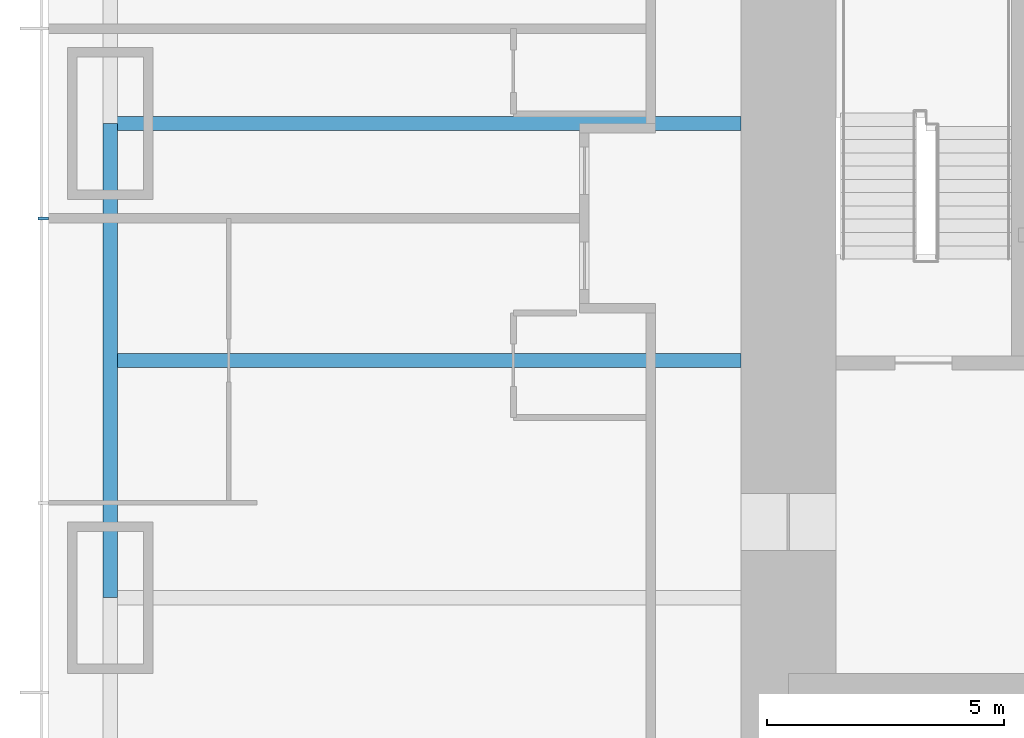
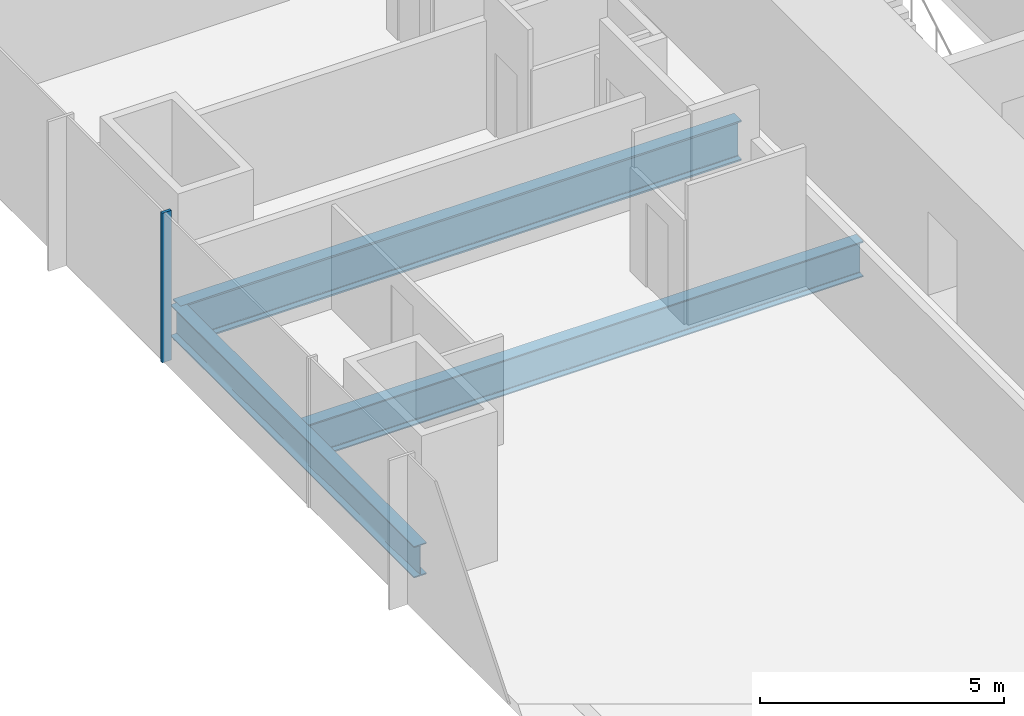
# One storey, part 3 of 17: 3 beams, 1 member, 1 element without a shape of its own.
"""IFC4 building model written with IfcOpenShell, lengths in metres."""

from ifc_helpers import new_model, si_unit, direction, frame, origin, origin_2d, place, context, subcontext, project, spatial, rectangle, i_section, extrude, material, material_profile, profile_set, type_object, element, aggregate, save


model = new_model("IFC4")

# Units and contexts
model_context = context("Model", 3, precision=1e-05, world=origin(), true_north=direction((0.0, 1.0)))
body_context = subcontext(model_context, "Body", "Model", "MODEL_VIEW")
ifc_project = project(units=[si_unit("LENGTHUNIT", "METRE"), si_unit("AREAUNIT", "SQUARE_METRE"), si_unit("VOLUMEUNIT", "CUBIC_METRE"), si_unit("PLANEANGLEUNIT", "RADIAN"), si_unit("MASSUNIT", "GRAM", prefix="KILO")], contexts=[model_context])

# Site, building, storey
site_placement = place(None, origin())
site = spatial("IfcSite", under=ifc_project, at=site_placement, CompositionType="ELEMENT")
building_placement = place(site_placement, origin())
building = spatial("IfcBuilding", under=site, at=building_placement, Name="Khuree Lantern Residences", CompositionType="ELEMENT")
storey_placement = place(building_placement, frame((0.0, 0.0, 73.5)))
storey = spatial("IfcBuildingStorey", under=building, at=storey_placement, Name="L18", CompositionType="ELEMENT", Elevation=73.5)

# Beams
ifc_material_1 = material(Name="Steel S355", Category="steel")
ifc_material_profile_1 = material_profile(ifc_material_1, i_section(OverallWidth=0.300048828125, OverallDepth=0.889892578125, WebThickness=0.01611328125, FlangeThickness=0.030029296875, FilletRadius=0.030029296875, at=origin_2d()), Name="HE 900 A")
ifc_profile_set_1 = profile_set([ifc_material_profile_1], Name="Steel S355")
beam_type_1 = type_object("IfcBeamType", Name="B-14 SECONDARY BEAM HE 900 A", PredefinedType="BEAM", material=ifc_profile_set_1)
beam_1_placement = place(storey_placement, frame((-29.800048828125, -5.0, -0.695068359375), z_axis=(1.0, 0.0, 0.0), x_axis=(0.0, 1.0, 0.0)))
element("IfcBeam", 1, at=beam_1_placement, inside=storey, type_object=beam_type_1, Name="Secondary beam W3", PredefinedType="BEAM", context=body_context, shape_type="SweptSolid", body=[
    extrude(i_section(OverallWidth=0.300048828125, OverallDepth=0.889892578125, WebThickness=0.01611328125, FlangeThickness=0.030029296875, FilletRadius=0.030029296875, at=origin_2d()), origin(), (0.0, 0.0, 1.0), 13.300048828125),
])
ifc_material_profile_2 = material_profile(ifc_material_1, i_section(OverallWidth=0.300048828125, OverallDepth=0.7900390625, WebThickness=0.014892578125, FlangeThickness=0.028076171875, FilletRadius=0.030029296875, at=origin_2d()), Name="HE 800 A")
ifc_profile_set_2 = profile_set([ifc_material_profile_2], Name="Steel S355")
beam_type_2 = type_object("IfcBeamType", Name="E-14 SPANDREL BEAM HE 800 A", PredefinedType="SPANDREL", material=ifc_profile_set_2)
beam_2_placement = place(storey_placement, frame((-29.800048828125, -10.0, -0.64501953125), z_axis=(0.0, 1.0, 0.0), x_axis=(-1.0, 0.0, 0.0)))
element("IfcBeam", 2, at=beam_2_placement, inside=storey, type_object=beam_type_2, Name="Spandrel beam W3", PredefinedType="SPANDREL", context=body_context, shape_type="SweptSolid", body=[
    extrude(i_section(OverallWidth=0.300048828125, OverallDepth=0.7900390625, WebThickness=0.014892578125, FlangeThickness=0.028076171875, FilletRadius=0.030029296875, at=origin_2d()), origin(), (0.0, 0.0, 1.0), 10.0),
])
ifc_material_profile_3 = material_profile(ifc_material_1, i_section(OverallWidth=0.302001953125, OverallDepth=1.008056640625, WebThickness=0.02099609375, FlangeThickness=0.0400390625, FilletRadius=0.030029296875, at=origin_2d()), Name="HE 1000 M")
ifc_profile_set_3 = profile_set([ifc_material_profile_3], Name="Steel S355")
beam_type_3 = type_object("IfcBeamType", Name="G-14 GIRDER HE 1000 M", PredefinedType="BEAM", material=ifc_profile_set_3)
beam_3_placement = place(storey_placement, frame((-29.800048828125, 0.0, -0.75390625), z_axis=(1.0, 0.0, 0.0), x_axis=(0.0, 1.0, 0.0)))
element("IfcBeam", 3, at=beam_3_placement, inside=storey, type_object=beam_type_3, Name="Girder W3", PredefinedType="BEAM", context=body_context, shape_type="SweptSolid", body=[
    extrude(i_section(OverallWidth=0.302001953125, OverallDepth=1.008056640625, WebThickness=0.02099609375, FlangeThickness=0.0400390625, FilletRadius=0.030029296875, at=origin_2d()), origin(), (0.0, 0.0, 1.0), 13.300048828125),
])

# Curtain wall, member
ifc_material_2 = material(Name="Bronze anodised aluminium", Category="aluminium")
curtain_wall_type = type_object("IfcCurtainWallType", Name="CW-T1 TOWER FACE CURTAIN WALL", PredefinedType="USERDEFINED", material=ifc_material_2)
curtain_wall_placement = place(storey_placement, origin())
curtain_wall = element("IfcCurtainWall", 4, at=curtain_wall_placement, inside=storey, type_object=curtain_wall_type, Name="L18 WEST FACE CURTAIN WALL", ObjectType="Stick-built curtain wall", PredefinedType="USERDEFINED")
ifc_material_profile_4 = material_profile(ifc_material_2, rectangle(XDim=0.06494140625, YDim=0.219970703125, at=origin_2d()), Name="M1 65X220")
ifc_profile_set_4 = profile_set([ifc_material_profile_4], Name="Bronze anodised aluminium")
member_type = type_object("IfcMemberType", Name="M1 BRONZE MULLION TOWER 65X220", PredefinedType="MULLION", material=ifc_profile_set_4)
member_placement = place(storey_placement, frame((-31.2099609375, -2.0, 0.0), z_axis=(0.0, 0.0, 1.0), x_axis=(0.0, -1.0, 0.0)))
member = element("IfcMember", 5, at=member_placement, type_object=member_type, Name="L18 WEST FACE MULLION 38", PredefinedType="MULLION", context=body_context, shape_type="SweptSolid", body=[
    extrude(rectangle(XDim=0.06494140625, YDim=0.219970703125, at=origin_2d()), origin(), (0.0, 0.0, 1.0), 3.75),
])
aggregate(curtain_wall, [member])

save(model, "model.ifc")
